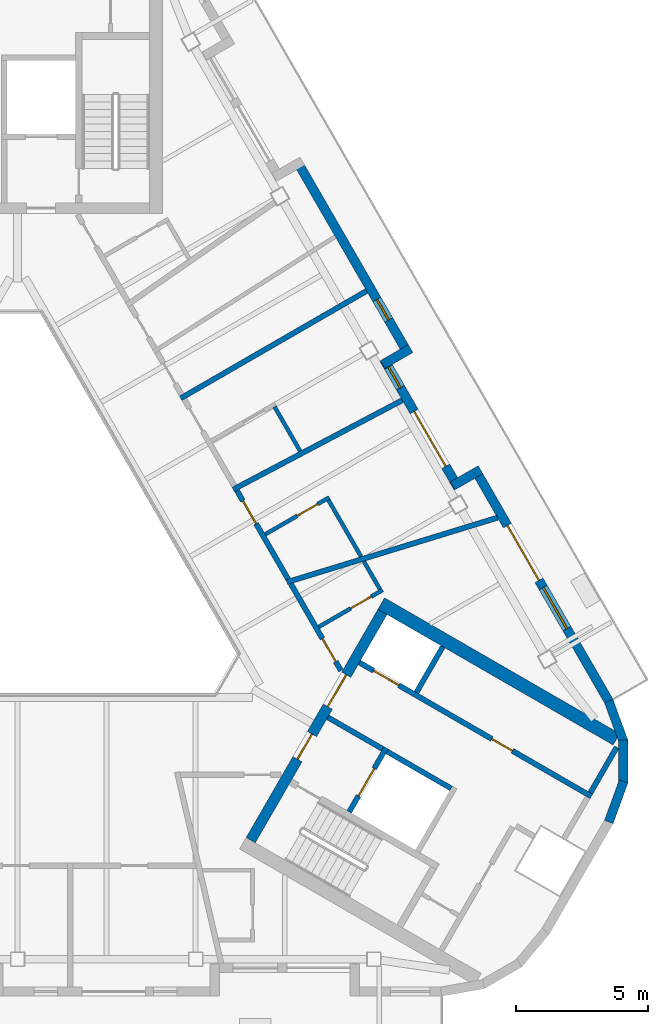
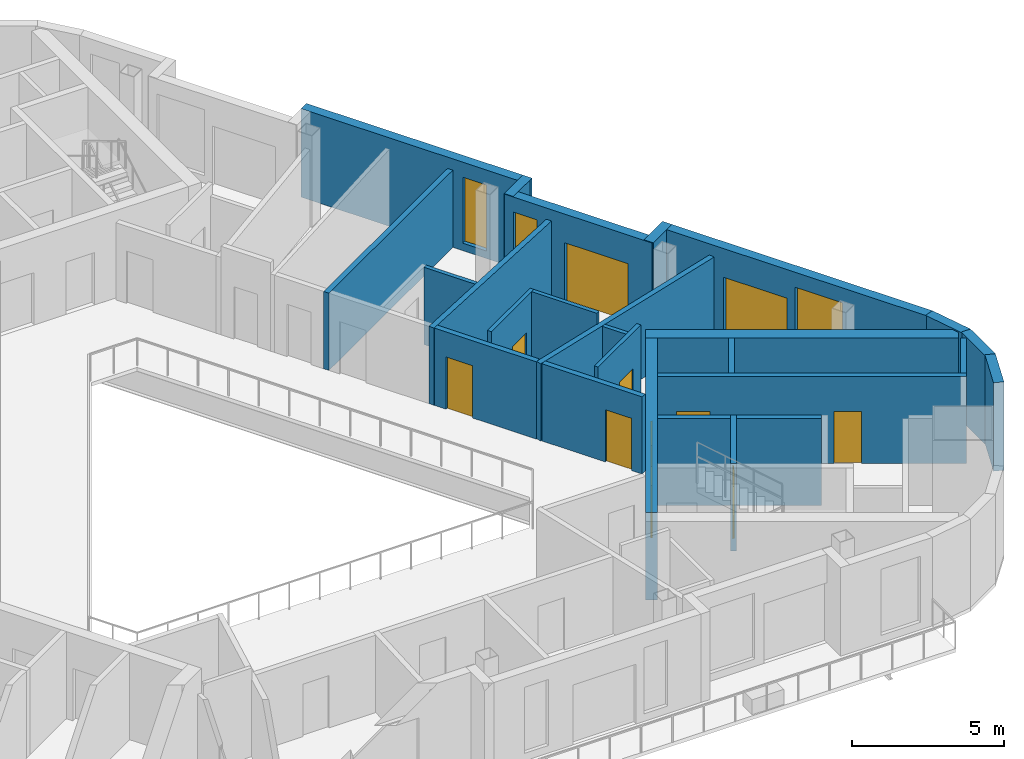
# One storey, part 6 of 12: 26 walls, 11 doors, 3 windows, 14 openings.
"""IFC4 building model written with IfcOpenShell, lengths in metres."""

from ifc_helpers import new_model, si_unit, direction, frame, frame_2d, origin, place, context, subcontext, project, spatial, rectangle, extrude, material, layer, layer_set, type_object, element, fill, save


model = new_model("IFC4")

# Units and contexts
model_context = context("Model", 3, precision=1e-05, world=origin(), true_north=direction((0.0, 1.0)))
body_context = subcontext(model_context, "Body", "Model", "MODEL_VIEW")
ifc_project = project(units=[si_unit("LENGTHUNIT", "METRE"), si_unit("AREAUNIT", "SQUARE_METRE"), si_unit("VOLUMEUNIT", "CUBIC_METRE"), si_unit("PLANEANGLEUNIT", "RADIAN"), si_unit("MASSUNIT", "GRAM", prefix="KILO")], contexts=[model_context])

# Site, building, storey
site_placement = place(None, origin())
site = spatial("IfcSite", under=ifc_project, at=site_placement, CompositionType="ELEMENT")
building_placement = place(site_placement, origin())
building = spatial("IfcBuilding", under=site, at=building_placement, Name="Apuvela Tower Hotel", CompositionType="ELEMENT")
storey_placement = place(building_placement, frame((0.0, 0.0, 305.89990234375)))
storey = spatial("IfcBuildingStorey", under=building, at=storey_placement, Name="L76", CompositionType="ELEMENT", Elevation=305.89990234375)

# Wall, openings, doors
ifc_material_1 = material(Name="Concrete C50/60", Category="concrete")
ifc_layer_1 = layer(ifc_material_1, 0.39990234375)
ifc_layer_set_1 = layer_set([ifc_layer_1], Name="COR-WALL-CORE-400")
wall_type_1 = type_object("IfcWallType", Name="COR-WALL-CORE-400", PredefinedType="SHEAR", material=ifc_layer_set_1)
wall_1_placement = place(storey_placement, frame((8.844970703125, -10.880126953125, 0.0), z_axis=(0.0, 0.0, 1.0), x_axis=(0.500004234368, 0.866022959057, 0.0)))
wall_1 = element("IfcWall", 1, at=wall_1_placement, inside=storey, type_object=wall_type_1, Name="Core wall SE", PredefinedType="SHEAR", context=body_context, shape_type="SweptSolid", body=[
    extrude(rectangle(XDim=10.0, YDim=0.39990234375, at=frame_2d((5.0, 0.0))), origin(), (0.0, 0.0, 1.0), 3.5),
])
opening_1_placement = place(wall_1_placement, frame((3.550048828125, 0.0, 0.0)))
opening_1 = element("IfcOpeningElement", 2, at=opening_1_placement, cuts=wall_1, Name="Opening E-FD", PredefinedType="OPENING", context=body_context, shape_type="SweptSolid", body=[
    extrude(rectangle(XDim=1.10009765625, YDim=2.10009765625, at=frame_2d((0.550048828125, 1.050048828125))), frame((0.0, 0.2099609375, 0.0), z_axis=(0.0, -1.0, 0.0), x_axis=(1.0, 0.0, 0.0)), (0.0, 0.0, 1.0), 0.419921875),
])
opening_2_placement = place(wall_1_placement, frame((5.85009765625, 0.0, 0.0)))
opening_2 = element("IfcOpeningElement", 3, at=opening_2_placement, cuts=wall_1, Name="Opening E-GD", PredefinedType="OPENING", context=body_context, shape_type="SweptSolid", body=[
    extrude(rectangle(XDim=1.39990234375, YDim=2.10009765625, at=frame_2d((0.699951171875, 1.050048828125))), frame((0.0, 0.2099609375, 0.0), z_axis=(0.0, -1.0, 0.0), x_axis=(1.0, 0.0, 0.0)), (0.0, 0.0, 1.0), 0.419921875),
])
ifc_material_2 = material(Name="Steel fire door, powder coated", Category="steel")
door_type_1 = type_object("IfcDoorType", Name="COR-FD-1100", OperationType="NOTDEFINED", PredefinedType="DOOR", material=ifc_material_2)
door_1_placement = place(opening_1_placement, frame((1.10009765625, 0.0, 0.0), z_axis=(0.0, 0.0, 1.0), x_axis=(-1.0, 0.0, 0.0)))
door_1 = element("IfcDoor", 4, at=door_1_placement, inside=storey, type_object=door_type_1, Name="Firefighting lobby door E-FD", OperationType="SINGLE_SWING_LEFT", OverallHeight=2.10009765625, OverallWidth=1.10009765625, PredefinedType="DOOR", context=body_context, shape_type="SweptSolid", body=[
    extrude(rectangle(XDim=1.10009765625, YDim=2.10009765625, at=frame_2d((0.550048828125, 1.050048828125))), frame((0.0, 0.02490234375, 0.0), z_axis=(0.0, -1.0, 0.0), x_axis=(1.0, 0.0, 0.0)), (0.0, 0.0, 1.0), 0.050048828125),
])
fill(opening_1, door_1)
ifc_material_3 = material(Name="Glazed steel fire door", Category="steel")
door_type_2 = type_object("IfcDoorType", Name="COR-GD-1400", OperationType="DOUBLE_DOOR_SINGLE_SWING", PredefinedType="DOOR", material=ifc_material_3)
door_2_placement = place(opening_2_placement, frame((1.39990234375, 0.0, 0.0), z_axis=(0.0, 0.0, 1.0), x_axis=(-1.0, 0.0, 0.0)))
door_2 = element("IfcDoor", 5, at=door_2_placement, inside=storey, type_object=door_type_2, Name="Lift lobby door E-GD", OperationType="DOUBLE_DOOR_SINGLE_SWING", OverallHeight=2.10009765625, OverallWidth=1.39990234375, PredefinedType="DOOR", context=body_context, shape_type="SweptSolid", body=[
    extrude(rectangle(XDim=1.39990234375, YDim=2.10009765625, at=frame_2d((0.699951171875, 1.050048828125))), frame((0.0, 0.02490234375, 0.0), z_axis=(0.0, -1.0, 0.0), x_axis=(1.0, 0.0, 0.0)), (0.0, 0.0, 1.0), 0.050048828125),
])
fill(opening_2, door_2)

# Wall
ifc_layer_2 = layer(ifc_material_1, 0.5)
ifc_layer_set_2 = layer_set([ifc_layer_2], Name="COR-WALL-CORE-500")
wall_type_2 = type_object("IfcWallType", Name="COR-WALL-CORE-500", PredefinedType="SHEAR", material=ifc_layer_set_2)
wall_2_placement = place(storey_placement, frame((13.796630859375, -1.9033203125, 0.0), z_axis=(0.0, 0.0, 1.0), x_axis=(0.866027279078, -0.499996751883, 0.0)))
element("IfcWall", 6, at=wall_2_placement, inside=storey, type_object=wall_type_2, Name="Core wall SE", PredefinedType="SHEAR", context=body_context, shape_type="SweptSolid", body=[
    extrude(rectangle(XDim=10.29833984375, YDim=0.5, at=frame_2d((5.149169921875, 0.0))), origin(), (0.0, 0.0, 1.0), 3.5),
])

# Wall, opening, door
ifc_layer_3 = layer(ifc_material_1, 0.199951171875)
ifc_layer_set_3 = layer_set([ifc_layer_3], Name="COR-WALL-SHAFT-200")
wall_type_3 = type_object("IfcWallType", Name="COR-WALL-SHAFT-200", PredefinedType="SHEAR", material=ifc_layer_set_3)
wall_3_placement = place(storey_placement, frame((12.583251953125, -9.805419921875, 0.0), z_axis=(0.0, 0.0, 1.0), x_axis=(0.49994636267, 0.866056369097, 0.0)))
wall_3 = element("IfcWall", 7, at=wall_3_placement, inside=storey, type_object=wall_type_3, Name="Shaft wall SE", PredefinedType="SHEAR", context=body_context, shape_type="SweptSolid", body=[
    extrude(rectangle(XDim=2.800048828125, YDim=0.199951171875, at=frame_2d((1.39990234375, 0.0))), origin(), (0.0, 0.0, 1.0), 3.5),
])
opening_3_placement = place(wall_3_placement, frame((0.699951171875, 0.0, 0.0)))
opening_3 = element("IfcOpeningElement", 8, at=opening_3_placement, cuts=wall_3, Name="Opening E-LD-FS3", PredefinedType="OPENING", context=body_context, shape_type="SweptSolid", body=[
    extrude(rectangle(XDim=1.199951171875, YDim=2.10009765625, at=frame_2d((0.60009765625, 1.050048828125))), frame((0.0, 0.10986328125, 0.0), z_axis=(0.0, -1.0, 0.0), x_axis=(1.0, 0.0, 0.0)), (0.0, 0.0, 1.0), 0.219970703125),
])
ifc_material_4 = material(Name="Stainless steel lift landing door", Category="steel")
door_type_3 = type_object("IfcDoorType", Name="COR-LD-1200", OperationType="DOUBLE_DOOR_SLIDING", PredefinedType="DOOR", material=ifc_material_4)
door_3_placement = place(opening_3_placement, origin())
door_3 = element("IfcDoor", 9, at=door_3_placement, inside=storey, type_object=door_type_3, Name="Lift landing door E-LD-FS3", OperationType="DOUBLE_DOOR_SLIDING", OverallHeight=2.10009765625, OverallWidth=1.199951171875, PredefinedType="DOOR", context=body_context, shape_type="SweptSolid", body=[
    extrude(rectangle(XDim=1.199951171875, YDim=2.10009765625, at=frame_2d((0.60009765625, 1.050048828125))), frame((0.0, 0.02490234375, 0.0), z_axis=(0.0, -1.0, 0.0), x_axis=(1.0, 0.0, 0.0)), (0.0, 0.0, 1.0), 0.050048828125),
])
fill(opening_3, door_3)

# Walls
wall_4_placement = place(storey_placement, frame((11.76806640625, -6.217041015625, 0.0), z_axis=(0.0, 0.0, 1.0), x_axis=(0.866050077142, -0.499957262057, 0.0)))
element("IfcWall", 10, at=wall_4_placement, inside=storey, type_object=wall_type_3, Name="Shaft wall SE", PredefinedType="SHEAR", context=body_context, shape_type="SweptSolid", body=[
    extrude(rectangle(XDim=2.400146484375, YDim=0.199951171875, at=frame_2d((1.2001953125, 0.0))), origin(), (0.0, 0.0, 1.0), 3.5),
])
wall_5_placement = place(storey_placement, frame((14.019775390625, -7.51708984375, 0.0), z_axis=(0.0, 0.0, 1.0), x_axis=(0.866034573852, -0.49998411664, 0.0)))
element("IfcWall", 11, at=wall_5_placement, inside=storey, type_object=wall_type_3, Name="Shaft wall SE", PredefinedType="SHEAR", context=body_context, shape_type="SweptSolid", body=[
    extrude(rectangle(XDim=2.7998046875, YDim=0.199951171875, at=frame_2d((1.39990234375, 0.0))), origin(), (0.0, 0.0, 1.0), 3.5),
])

# Wall, openings, doors
wall_6_placement = place(storey_placement, frame((12.968017578125, -4.138427734375, 0.0), z_axis=(0.0, 0.0, 1.0), x_axis=(0.866028328073, -0.49999493495, 0.0)))
wall_6 = element("IfcWall", 12, at=wall_6_placement, inside=storey, type_object=wall_type_3, Name="Shaft wall SE", PredefinedType="SHEAR", context=body_context, shape_type="SweptSolid", body=[
    extrude(rectangle(XDim=10.16015625, YDim=0.199951171875, at=frame_2d((5.080078125, 0.0))), origin(), (0.0, 0.0, 1.0), 3.5),
])
opening_4_placement = place(wall_6_placement, frame((0.6201171875, 0.0, 0.0)))
opening_4 = element("IfcOpeningElement", 13, at=opening_4_placement, cuts=wall_6, Name="Opening E-LD-HR3", PredefinedType="OPENING", context=body_context, shape_type="SweptSolid", body=[
    extrude(rectangle(XDim=1.10009765625, YDim=2.10009765625, at=frame_2d((0.550048828125, 1.050048828125))), frame((0.0, 0.10986328125, 0.0), z_axis=(0.0, -1.0, 0.0), x_axis=(1.0, 0.0, 0.0)), (0.0, 0.0, 1.0), 0.219970703125),
])
opening_5_placement = place(wall_6_placement, frame((5.800048828125, 0.0, 0.0)))
opening_5 = element("IfcOpeningElement", 14, at=opening_5_placement, cuts=wall_6, Name="Opening E-RE2", PredefinedType="OPENING", context=body_context, shape_type="SweptSolid", body=[
    extrude(rectangle(XDim=0.89990234375, YDim=2.10009765625, at=frame_2d((0.449951171875, 1.050048828125))), frame((0.0, 0.10986328125, 0.0), z_axis=(0.0, -1.0, 0.0), x_axis=(1.0, 0.0, 0.0)), (0.0, 0.0, 1.0), 0.219970703125),
])
door_type_4 = type_object("IfcDoorType", Name="COR-DR-900", OperationType="NOTDEFINED", PredefinedType="DOOR", material=ifc_material_2)
door_4_placement = place(opening_5_placement, origin())
door_4 = element("IfcDoor", 15, at=door_4_placement, inside=storey, type_object=door_type_4, Name="Store door E-RE2", OperationType="SINGLE_SWING_LEFT", OverallHeight=2.10009765625, OverallWidth=0.89990234375, PredefinedType="DOOR", context=body_context, shape_type="SweptSolid", body=[
    extrude(rectangle(XDim=0.89990234375, YDim=2.10009765625, at=frame_2d((0.449951171875, 1.050048828125))), frame((0.0, 0.02490234375, 0.0), z_axis=(0.0, -1.0, 0.0), x_axis=(1.0, 0.0, 0.0)), (0.0, 0.0, 1.0), 0.050048828125),
])
fill(opening_5, door_4)
door_type_5 = type_object("IfcDoorType", Name="COR-LD-1100", OperationType="DOUBLE_DOOR_SLIDING", PredefinedType="DOOR", material=ifc_material_4)
door_5_placement = place(opening_4_placement, origin())
door_5 = element("IfcDoor", 16, at=door_5_placement, inside=storey, type_object=door_type_5, Name="Lift landing door E-LD-HR3", OperationType="DOUBLE_DOOR_SLIDING", OverallHeight=2.10009765625, OverallWidth=1.10009765625, PredefinedType="DOOR", context=body_context, shape_type="SweptSolid", body=[
    extrude(rectangle(XDim=1.10009765625, YDim=2.10009765625, at=frame_2d((0.550048828125, 1.050048828125))), frame((0.0, 0.02490234375, 0.0), z_axis=(0.0, -1.0, 0.0), x_axis=(1.0, 0.0, 0.0)), (0.0, 0.0, 1.0), 0.050048828125),
])
fill(opening_4, door_5)

# Walls
for number, where, z_axis, x_axis, name in (
    (17, (15.131103515625, -5.27197265625, 0.0), (0.0, 0.0, 1.0), (0.499972520799, 0.866041268327, 0.0), "Shaft wall SE"),
    (18, (21.73046875, -9.081787109375, 0.0), (0.0, 0.0, 1.0), (0.50002537861, 0.866010750942, 0.0), "Shaft wall SE"),
):
    element("IfcWall", number, at=place(storey_placement, frame(where, z_axis=z_axis, x_axis=x_axis)), inside=storey, type_object=wall_type_3, Name=name, PredefinedType="SHEAR", context=body_context, shape_type="SweptSolid", body=[
        extrude(rectangle(XDim=2.0, YDim=0.199951171875, at=frame_2d((1.0, 0.0))), origin(), (0.0, 0.0, 1.0), 3.5),
    ])
ifc_material_5 = material(Name="Concrete C40/50, dark pigmented precast panel", Category="concrete")
ifc_layer_4 = layer(ifc_material_5, 0.35009765625)
ifc_layer_set_4 = layer_set([ifc_layer_4], Name="ENV-WALL-350")
wall_type_4 = type_object("IfcWallType", Name="ENV-WALL-350", PredefinedType="SOLIDWALL", material=ifc_layer_set_4)
for number, where, z_axis, x_axis, name in (
    (19, (22.42919921875, -10.189697265625, 0.0), (0.0, 0.0, 1.0), (0.341970966071, 0.939710518386, 0.0), "External wall L76-30"),
    (20, (22.977294921875, -8.7138671875, 0.0), (0.0, 0.0, 1.0), (0.0, 1.0, 0.0), "External wall L76-31"),
    (21, (22.988037109375, -7.1396484375, 0.0), (0.0, 0.0, 1.0), (-0.34192296291, 0.939727985874, 0.0), "External wall L76-32"),
):
    element("IfcWall", number, at=place(storey_placement, frame(where, z_axis=z_axis, x_axis=x_axis)), inside=storey, type_object=wall_type_4, Name=name, PredefinedType="SOLIDWALL", context=body_context, shape_type="SweptSolid", body=[
        extrude(rectangle(XDim=1.63427734375, YDim=0.35009765625, at=frame_2d((0.817138671875, 0.0))), origin(), (0.0, 0.0, 1.0), 3.550048828125),
    ])

# Wall, openings, door, window
wall_7_placement = place(storey_placement, frame((22.44189453125, -5.631591796875, 0.0), z_axis=(0.0, 0.0, 1.0), x_axis=(-0.499983205548, 0.866035099848, 0.0)))
wall_7 = element("IfcWall", 22, at=wall_7_placement, inside=storey, type_object=wall_type_4, Name="External wall L76-33", PredefinedType="SOLIDWALL", context=body_context, shape_type="SweptSolid", body=[
    extrude(rectangle(XDim=10.239013671875, YDim=0.35009765625, at=frame_2d((5.11962890625, 0.0))), origin(), (0.0, 0.0, 1.0), 3.550048828125),
])
opening_6_placement = place(wall_7_placement, frame((5.3203125, 0.0, 0.0)))
opening_6 = element("IfcOpeningElement", 23, at=opening_6_placement, cuts=wall_7, Name="Opening BD24", PredefinedType="OPENING", context=body_context, shape_type="SweptSolid", body=[
    extrude(rectangle(XDim=2.39990234375, YDim=2.39990234375, at=frame_2d((1.199951171875, 1.199951171875))), frame((0.0, 0.18505859375, 0.0), z_axis=(0.0, -1.0, 0.0), x_axis=(1.0, 0.0, 0.0)), (0.0, 0.0, 1.0), 0.3701171875),
])
opening_7_placement = place(wall_7_placement, frame((3.205078125, 0.0, 0.300048828125)))
opening_7 = element("IfcOpeningElement", 24, at=opening_7_placement, cuts=wall_7, Name="Opening WN18", PredefinedType="OPENING", context=body_context, shape_type="SweptSolid", body=[
    extrude(rectangle(XDim=1.800048828125, YDim=2.64990234375, at=frame_2d((0.89990234375, 1.324951171875))), frame((0.0, 0.18505859375, 0.0), z_axis=(0.0, -1.0, 0.0), x_axis=(1.0, 0.0, 0.0)), (0.0, 0.0, 1.0), 0.3701171875),
])
ifc_material_6 = material(Name="Aluminium 6063-T6, dark bronze anodised frame with dark tinted laminated glass", Category="aluminium")
door_type_6 = type_object("IfcDoorType", Name="ENV-DOOR-BALCONY-2400x2400", OperationType="SLIDING_TO_LEFT", PredefinedType="DOOR", material=ifc_material_6)
door_6_placement = place(opening_6_placement, frame((2.39990234375, 0.0, 0.0), z_axis=(0.0, 0.0, 1.0), x_axis=(-1.0, 0.0, 0.0)))
door_6 = element("IfcDoor", 25, at=door_6_placement, inside=storey, type_object=door_type_6, Name="Balcony door BD24", OperationType="SLIDING_TO_LEFT", OverallHeight=2.39990234375, OverallWidth=2.39990234375, PredefinedType="DOOR", context=body_context, shape_type="SweptSolid", body=[
    extrude(rectangle(XDim=2.39990234375, YDim=2.39990234375, at=frame_2d((1.199951171875, 1.199951171875))), frame((0.0, 0.02490234375, 0.0), z_axis=(0.0, -1.0, 0.0), x_axis=(1.0, 0.0, 0.0)), (0.0, 0.0, 1.0), 0.050048828125),
])
fill(opening_6, door_6)
ifc_material_7 = material(Name="Glass, dark tinted laminated insulated glazing unit", Category="glass")
window_type_1 = type_object("IfcWindowType", Name="ENV-WIN-1800x2650", PartitioningType="SINGLE_PANEL", PredefinedType="WINDOW", material=ifc_material_7)
window_1_placement = place(opening_7_placement, origin())
window_1 = element("IfcWindow", 26, at=window_1_placement, inside=storey, type_object=window_type_1, Name="Window WN18", OverallHeight=2.64990234375, OverallWidth=1.800048828125, PartitioningType="SINGLE_PANEL", PredefinedType="WINDOW", context=body_context, shape_type="SweptSolid", body=[
    extrude(rectangle(XDim=1.800048828125, YDim=2.64990234375, at=frame_2d((0.89990234375, 1.324951171875))), frame((0.0, 0.030029296875, 0.0), z_axis=(0.0, -1.0, 0.0), x_axis=(1.0, 0.0, 0.0)), (0.0, 0.0, 1.0), 0.06005859375),
])
fill(opening_7, window_1)

# Wall
wall_8_placement = place(storey_placement, frame((17.5615234375, 3.171875, 0.0), z_axis=(0.0, 0.0, 1.0), x_axis=(-0.866005645448, -0.500034220881, 0.0)))
element("IfcWall", 27, at=wall_8_placement, inside=storey, type_object=wall_type_4, Name="External wall L76-34", PredefinedType="SOLIDWALL", context=body_context, shape_type="SweptSolid", body=[
    extrude(rectangle(XDim=1.22021484375, YDim=0.35009765625, at=frame_2d((0.610107421875, 0.0))), origin(), (0.0, 0.0, 1.0), 3.550048828125),
])

# Wall, openings, door, window
wall_9_placement = place(storey_placement, frame((16.702880859375, 2.5087890625, 0.0), z_axis=(0.0, 0.0, 1.0), x_axis=(-0.499975351079, 0.866039634378, 0.0)))
wall_9 = element("IfcWall", 28, at=wall_9_placement, inside=storey, type_object=wall_type_4, Name="External wall L76-35", PredefinedType="SOLIDWALL", context=body_context, shape_type="SweptSolid", body=[
    extrude(rectangle(XDim=5.598876953125, YDim=0.35009765625, at=frame_2d((2.79931640625, 0.0))), origin(), (0.0, 0.0, 1.0), 3.550048828125),
])
opening_8_placement = place(wall_9_placement, frame((0.91650390625, 0.0, 0.0)))
opening_8 = element("IfcOpeningElement", 29, at=opening_8_placement, cuts=wall_9, Name="Opening BD24", PredefinedType="OPENING", context=body_context, shape_type="SweptSolid", body=[
    extrude(rectangle(XDim=2.39990234375, YDim=2.39990234375, at=frame_2d((1.199951171875, 1.199951171875))), frame((0.0, 0.18505859375, 0.0), z_axis=(0.0, -1.0, 0.0), x_axis=(1.0, 0.0, 0.0)), (0.0, 0.0, 1.0), 0.3701171875),
])
opening_9_placement = place(wall_9_placement, frame((4.36279296875, 0.0, 0.300048828125)))
opening_9 = element("IfcOpeningElement", 30, at=opening_9_placement, cuts=wall_9, Name="Opening WN09", PredefinedType="OPENING", context=body_context, shape_type="SweptSolid", body=[
    extrude(rectangle(XDim=0.89990234375, YDim=2.64990234375, at=frame_2d((0.449951171875, 1.324951171875))), frame((0.0, 0.18505859375, 0.0), z_axis=(0.0, -1.0, 0.0), x_axis=(1.0, 0.0, 0.0)), (0.0, 0.0, 1.0), 0.3701171875),
])
door_7_placement = place(opening_8_placement, frame((2.39990234375, 0.0, 0.0), z_axis=(0.0, 0.0, 1.0), x_axis=(-1.0, 0.0, 0.0)))
door_7 = element("IfcDoor", 31, at=door_7_placement, inside=storey, type_object=door_type_6, Name="Balcony door BD24", OperationType="SLIDING_TO_LEFT", OverallHeight=2.39990234375, OverallWidth=2.39990234375, PredefinedType="DOOR", context=body_context, shape_type="SweptSolid", body=[
    extrude(rectangle(XDim=2.39990234375, YDim=2.39990234375, at=frame_2d((1.199951171875, 1.199951171875))), frame((0.0, 0.02490234375, 0.0), z_axis=(0.0, -1.0, 0.0), x_axis=(1.0, 0.0, 0.0)), (0.0, 0.0, 1.0), 0.050048828125),
])
fill(opening_8, door_7)
window_type_2 = type_object("IfcWindowType", Name="ENV-WIN-900x2650", PartitioningType="SINGLE_PANEL", PredefinedType="WINDOW", material=ifc_material_7)
window_2_placement = place(opening_9_placement, origin())
window_2 = element("IfcWindow", 32, at=window_2_placement, inside=storey, type_object=window_type_2, Name="Window WN09", OverallHeight=2.64990234375, OverallWidth=0.89990234375, PartitioningType="SINGLE_PANEL", PredefinedType="WINDOW", context=body_context, shape_type="SweptSolid", body=[
    extrude(rectangle(XDim=0.89990234375, YDim=2.64990234375, at=frame_2d((0.449951171875, 1.324951171875))), frame((0.0, 0.030029296875, 0.0), z_axis=(0.0, -1.0, 0.0), x_axis=(1.0, 0.0, 0.0)), (0.0, 0.0, 1.0), 0.06005859375),
])
fill(opening_9, window_2)

# Wall
wall_10_placement = place(storey_placement, frame((13.850341796875, 7.159423828125, 0.0), z_axis=(0.0, 0.0, 1.0), x_axis=(0.866005645448, 0.500034220881, 0.0)))
element("IfcWall", 33, at=wall_10_placement, inside=storey, type_object=wall_type_4, Name="External wall L76-36", PredefinedType="SOLIDWALL", context=body_context, shape_type="SweptSolid", body=[
    extrude(rectangle(XDim=1.22021484375, YDim=0.35009765625, at=frame_2d((0.610107421875, 0.0))), origin(), (0.0, 0.0, 1.0), 3.550048828125),
])

# Wall, opening, window
wall_11_placement = place(storey_placement, frame((14.843017578125, 7.530517578125, 0.0), z_axis=(0.0, 0.0, 1.0), x_axis=(-0.500013816581, 0.866017426631, 0.0)))
wall_11 = element("IfcWall", 34, at=wall_11_placement, inside=storey, type_object=wall_type_4, Name="External wall L76-37", PredefinedType="SOLIDWALL", context=body_context, shape_type="SweptSolid", body=[
    extrude(rectangle(XDim=8.558837890625, YDim=0.35009765625, at=frame_2d((4.279296875, 0.0))), origin(), (0.0, 0.0, 1.0), 3.550048828125),
])
opening_10_placement = place(wall_11_placement, frame((1.524658203125, 0.0, 0.300048828125)))
opening_10 = element("IfcOpeningElement", 35, at=opening_10_placement, cuts=wall_11, Name="Opening WN09", PredefinedType="OPENING", context=body_context, shape_type="SweptSolid", body=[
    extrude(rectangle(XDim=0.89990234375, YDim=2.64990234375, at=frame_2d((0.449951171875, 1.324951171875))), frame((0.0, 0.18505859375, 0.0), z_axis=(0.0, -1.0, 0.0), x_axis=(1.0, 0.0, 0.0)), (0.0, 0.0, 1.0), 0.3701171875),
])
window_3_placement = place(opening_10_placement, origin())
window_3 = element("IfcWindow", 36, at=window_3_placement, inside=storey, type_object=window_type_2, Name="Window WN09", OverallHeight=2.64990234375, OverallWidth=0.89990234375, PartitioningType="SINGLE_PANEL", PredefinedType="WINDOW", context=body_context, shape_type="SweptSolid", body=[
    extrude(rectangle(XDim=0.89990234375, YDim=2.64990234375, at=frame_2d((0.449951171875, 1.324951171875))), frame((0.0, 0.030029296875, 0.0), z_axis=(0.0, -1.0, 0.0), x_axis=(1.0, 0.0, 0.0)), (0.0, 0.0, 1.0), 0.06005859375),
])
fill(opening_10, window_3)

# Walls
ifc_material_8 = material(Name="Gypsum board partition on twin steel stud", Category="steel")
ifc_layer_5 = layer(ifc_material_8, 0.199951171875)
ifc_layer_set_5 = layer_set([ifc_layer_5], Name="GST-PW1")
wall_type_5 = type_object("IfcWallType", Name="GST-PW1", PredefinedType="PARTITIONING", material=ifc_layer_set_5)
wall_12_placement = place(storey_placement, frame((18.206298828125, 1.354736328125, 0.0), z_axis=(0.0, 0.0, 1.0), x_axis=(-0.956150885444, -0.292874519658, 0.0)))
element("IfcWall", 37, at=wall_12_placement, inside=storey, type_object=wall_type_5, Name="L76 partition 05", PredefinedType="PARTITIONING", context=body_context, shape_type="SweptSolid", body=[
    extrude(rectangle(XDim=8.357666015625, YDim=0.199951171875, at=frame_2d((4.1787109375, 0.0))), origin(), (0.0, 0.0, 1.0), 3.10009765625),
])
wall_13_placement = place(storey_placement, frame((14.594970703125, 5.809814453125, 0.0), z_axis=(0.0, 0.0, 1.0), x_axis=(-0.884286267242, -0.46694517619, 0.0)))
element("IfcWall", 38, at=wall_13_placement, inside=storey, type_object=wall_type_5, Name="L76 partition 06", PredefinedType="PARTITIONING", context=body_context, shape_type="SweptSolid", body=[
    extrude(rectangle(XDim=7.249755859375, YDim=0.199951171875, at=frame_2d((3.625, 0.0))), origin(), (0.0, 0.0, 1.0), 3.10009765625),
])
wall_14_placement = place(storey_placement, frame((13.241455078125, 9.954345703125, 0.0), z_axis=(0.0, 0.0, 1.0), x_axis=(-0.866028345359, -0.499994905008, 0.0)))
element("IfcWall", 39, at=wall_14_placement, inside=storey, type_object=wall_type_5, Name="L76 partition 07", PredefinedType="PARTITIONING", context=body_context, shape_type="SweptSolid", body=[
    extrude(rectangle(XDim=8.14453125, YDim=0.199951171875, at=frame_2d((4.072265625, 0.0))), origin(), (0.0, 0.0, 1.0), 3.10009765625),
])

# Wall, opening, door
ifc_material_9 = material(Name="Gypsum board corridor wall on twin steel stud, acoustic", Category="steel")
ifc_layer_6 = layer(ifc_material_9, 0.199951171875)
ifc_layer_set_6 = layer_set([ifc_layer_6], Name="GST-PW2")
wall_type_6 = type_object("IfcWallType", Name="GST-PW2", PredefinedType="PARTITIONING", material=ifc_layer_set_6)
wall_15_placement = place(storey_placement, frame((10.364501953125, -1.151611328125, 0.0), z_axis=(0.0, 0.0, 1.0), x_axis=(0.499999897272, -0.866025463095, 0.0)))
wall_15 = element("IfcWall", 40, at=wall_15_placement, inside=storey, type_object=wall_type_6, Name="L76 partition 23", PredefinedType="PARTITIONING", context=body_context, shape_type="SweptSolid", body=[
    extrude(rectangle(XDim=3.80859375, YDim=0.199951171875, at=frame_2d((1.904296875, 0.0))), origin(), (0.0, 0.0, 1.0), 3.10009765625),
])
opening_11_placement = place(wall_15_placement, frame((2.40869140625, 0.0, 0.0)))
opening_11 = element("IfcOpeningElement", 41, at=opening_11_placement, cuts=wall_15, Name="Opening GD31-09", PredefinedType="OPENING", context=body_context, shape_type="SweptSolid", body=[
    extrude(rectangle(XDim=1.0, YDim=2.10009765625, at=frame_2d((0.5, 1.050048828125))), frame((0.0, 0.10986328125, 0.0), z_axis=(0.0, -1.0, 0.0), x_axis=(1.0, 0.0, 0.0)), (0.0, 0.0, 1.0), 0.219970703125),
])
ifc_material_10 = material(Name="Timber door leaf in steel frame", Category="steel")
door_type_7 = type_object("IfcDoorType", Name="GST-D1", OperationType="NOTDEFINED", PredefinedType="DOOR", material=ifc_material_10)
door_8_placement = place(opening_11_placement, origin())
door_8 = element("IfcDoor", 42, at=door_8_placement, inside=storey, type_object=door_type_7, Name="Door L76-09", OperationType="SINGLE_SWING_RIGHT", OverallHeight=2.10009765625, OverallWidth=1.0, PredefinedType="DOOR", context=body_context, shape_type="SweptSolid", body=[
    extrude(rectangle(XDim=1.0, YDim=2.10009765625, at=frame_2d((0.5, 1.050048828125))), frame((0.0, 0.02490234375, 0.0), z_axis=(0.0, -1.0, 0.0), x_axis=(1.0, 0.0, 0.0)), (0.0, 0.0, 1.0), 0.050048828125),
])
fill(opening_11, door_8)

wall_16_placement = place(storey_placement, frame((8.32275390625, 2.384521484375, 0.0), z_axis=(0.0, 0.0, 1.0), x_axis=(0.499998569178, -0.866026229868, 0.0)))
wall_16 = element("IfcWall", 43, at=wall_16_placement, inside=storey, type_object=wall_type_6, Name="L76 partition 26", PredefinedType="PARTITIONING", context=body_context, shape_type="SweptSolid", body=[
    extrude(rectangle(XDim=3.8779296875, YDim=0.199951171875, at=frame_2d((1.93896484375, 0.0))), origin(), (0.0, 0.0, 1.0), 3.10009765625),
])
opening_12_placement = place(wall_16_placement, frame((0.451171875, 0.0, 0.0)))
opening_12 = element("IfcOpeningElement", 44, at=opening_12_placement, cuts=wall_16, Name="Opening GD31-11", PredefinedType="OPENING", context=body_context, shape_type="SweptSolid", body=[
    extrude(rectangle(XDim=1.0, YDim=2.10009765625, at=frame_2d((0.5, 1.050048828125))), frame((0.0, 0.10986328125, 0.0), z_axis=(0.0, -1.0, 0.0), x_axis=(1.0, 0.0, 0.0)), (0.0, 0.0, 1.0), 0.219970703125),
])
door_9_placement = place(opening_12_placement, origin())
door_9 = element("IfcDoor", 45, at=door_9_placement, inside=storey, type_object=door_type_7, Name="Door L76-11", OperationType="SINGLE_SWING_LEFT", OverallHeight=2.10009765625, OverallWidth=1.0, PredefinedType="DOOR", context=body_context, shape_type="SweptSolid", body=[
    extrude(rectangle(XDim=1.0, YDim=2.10009765625, at=frame_2d((0.5, 1.050048828125))), frame((0.0, 0.02490234375, 0.0), z_axis=(0.0, -1.0, 0.0), x_axis=(1.0, 0.0, 0.0)), (0.0, 0.0, 1.0), 0.050048828125),
])
fill(opening_12, door_9)

ifc_material_11 = material(Name="Moisture-resistant gypsum board wet wall on steel stud", Category="steel")
ifc_layer_7 = layer(ifc_material_11, 0.14990234375)
ifc_layer_set_7 = layer_set([ifc_layer_7], Name="GST-PW3")
wall_type_7 = type_object("IfcWallType", Name="GST-PW3", PredefinedType="PARTITIONING", material=ifc_layer_set_7)
wall_17_placement = place(storey_placement, frame((11.425048828125, -2.788818359375, 0.0), z_axis=(0.0, 0.0, 1.0), x_axis=(0.865996816683, 0.500049511043, 0.0)))
wall_17 = element("IfcWall", 46, at=wall_17_placement, inside=storey, type_object=wall_type_7, Name="L76 partition 24", PredefinedType="PARTITIONING", context=body_context, shape_type="SweptSolid", body=[
    extrude(rectangle(XDim=2.800048828125, YDim=0.14990234375, at=frame_2d((1.39990234375, 0.0))), origin(), (0.0, 0.0, 1.0), 3.550048828125),
])
opening_13_placement = place(wall_17_placement, frame((1.39990234375, 0.0, 0.0)))
opening_13 = element("IfcOpeningElement", 47, at=opening_13_placement, cuts=wall_17, Name="Opening GD31-08", PredefinedType="OPENING", context=body_context, shape_type="SweptSolid", body=[
    extrude(rectangle(XDim=0.89990234375, YDim=2.10009765625, at=frame_2d((0.449951171875, 1.050048828125))), frame((0.0, 0.0849609375, 0.0), z_axis=(0.0, -1.0, 0.0), x_axis=(1.0, 0.0, 0.0)), (0.0, 0.0, 1.0), 0.169921875),
])
door_type_8 = type_object("IfcDoorType", Name="GST-D2", OperationType="NOTDEFINED", PredefinedType="DOOR", material=ifc_material_10)
door_10_placement = place(opening_13_placement, origin())
door_10 = element("IfcDoor", 48, at=door_10_placement, inside=storey, type_object=door_type_8, Name="Door L76-08", OperationType="SINGLE_SWING_RIGHT", OverallHeight=2.10009765625, OverallWidth=0.89990234375, PredefinedType="DOOR", context=body_context, shape_type="SweptSolid", body=[
    extrude(rectangle(XDim=0.89990234375, YDim=2.10009765625, at=frame_2d((0.449951171875, 1.050048828125))), frame((0.0, 0.02490234375, 0.0), z_axis=(0.0, -1.0, 0.0), x_axis=(1.0, 0.0, 0.0)), (0.0, 0.0, 1.0), 0.050048828125),
])
fill(opening_13, door_10)

# Wall
wall_18_placement = place(storey_placement, frame((13.747314453125, -1.361328125, 0.0), z_axis=(0.0, 0.0, 1.0), x_axis=(-0.499941460885, 0.86605919872, 0.0)))
element("IfcWall", 49, at=wall_18_placement, inside=storey, type_object=wall_type_7, Name="L76 partition 25", PredefinedType="PARTITIONING", context=body_context, shape_type="SweptSolid", body=[
    extrude(rectangle(XDim=1.222412109375, YDim=0.14990234375, at=frame_2d((0.611328125, 0.0))), origin(), (0.0, 0.0, 1.0), 3.10009765625),
])

# Wall, opening, door
wall_19_placement = place(storey_placement, frame((11.822265625, 2.123291015625, 0.0), z_axis=(0.0, 0.0, 1.0), x_axis=(-0.865996816683, -0.500049511043, 0.0)))
wall_19 = element("IfcWall", 50, at=wall_19_placement, inside=storey, type_object=wall_type_7, Name="L76 partition 27", PredefinedType="PARTITIONING", context=body_context, shape_type="SweptSolid", body=[
    extrude(rectangle(XDim=2.800048828125, YDim=0.14990234375, at=frame_2d((1.39990234375, 0.0))), origin(), (0.0, 0.0, 1.0), 3.550048828125),
])
opening_14_placement = place(wall_19_placement, frame((0.5, 0.0, 0.0)))
opening_14 = element("IfcOpeningElement", 51, at=opening_14_placement, cuts=wall_19, Name="Opening GD31-10", PredefinedType="OPENING", context=body_context, shape_type="SweptSolid", body=[
    extrude(rectangle(XDim=0.89990234375, YDim=2.10009765625, at=frame_2d((0.449951171875, 1.050048828125))), frame((0.0, 0.0849609375, 0.0), z_axis=(0.0, -1.0, 0.0), x_axis=(1.0, 0.0, 0.0)), (0.0, 0.0, 1.0), 0.169921875),
])
door_11_placement = place(opening_14_placement, origin())
door_11 = element("IfcDoor", 52, at=door_11_placement, inside=storey, type_object=door_type_8, Name="Door L76-10", OperationType="SINGLE_SWING_LEFT", OverallHeight=2.10009765625, OverallWidth=0.89990234375, PredefinedType="DOOR", context=body_context, shape_type="SweptSolid", body=[
    extrude(rectangle(XDim=0.89990234375, YDim=2.10009765625, at=frame_2d((0.449951171875, 1.050048828125))), frame((0.0, 0.02490234375, 0.0), z_axis=(0.0, -1.0, 0.0), x_axis=(1.0, 0.0, 0.0)), (0.0, 0.0, 1.0), 0.050048828125),
])
fill(opening_14, door_11)

# Walls
wall_20_placement = place(storey_placement, frame((13.03369140625, -0.125, 0.0), z_axis=(0.0, 0.0, 1.0), x_axis=(-0.499975499923, 0.866039548448, 0.0)))
element("IfcWall", 53, at=wall_20_placement, inside=storey, type_object=wall_type_7, Name="L76 partition 28", PredefinedType="PARTITIONING", context=body_context, shape_type="SweptSolid", body=[
    extrude(rectangle(XDim=2.4775390625, YDim=0.14990234375, at=frame_2d((1.23876953125, 0.0))), origin(), (0.0, 0.0, 1.0), 3.550048828125),
])
wall_21_placement = place(storey_placement, frame((10.722412109375, 3.8779296875, 0.0), z_axis=(0.0, 0.0, 1.0), x_axis=(-0.49992486272, 0.866068779967, 0.0)))
element("IfcWall", 54, at=wall_21_placement, inside=storey, type_object=wall_type_7, Name="L76 partition 31", PredefinedType="PARTITIONING", context=body_context, shape_type="SweptSolid", body=[
    extrude(rectangle(XDim=1.948974609375, YDim=0.14990234375, at=frame_2d((0.974609375, 0.0))), origin(), (0.0, 0.0, 1.0), 3.10009765625),
])

save(model, "model.ifc")
